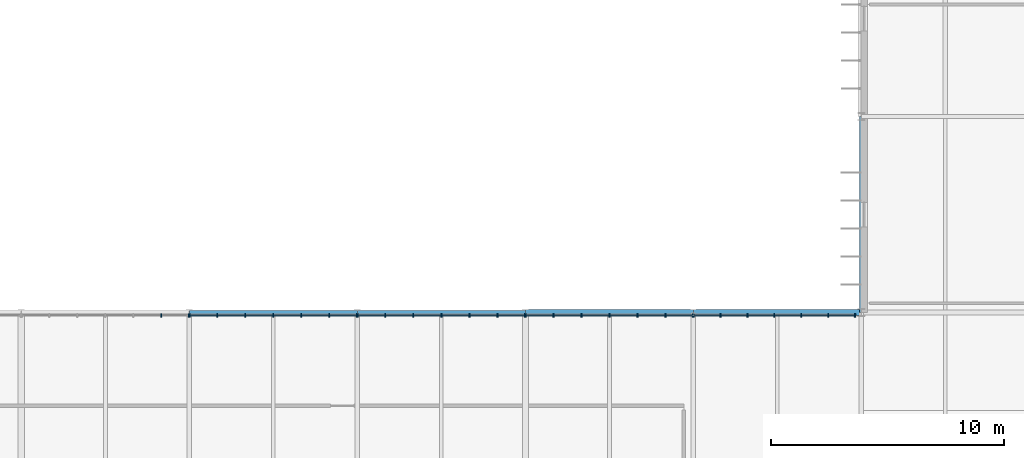
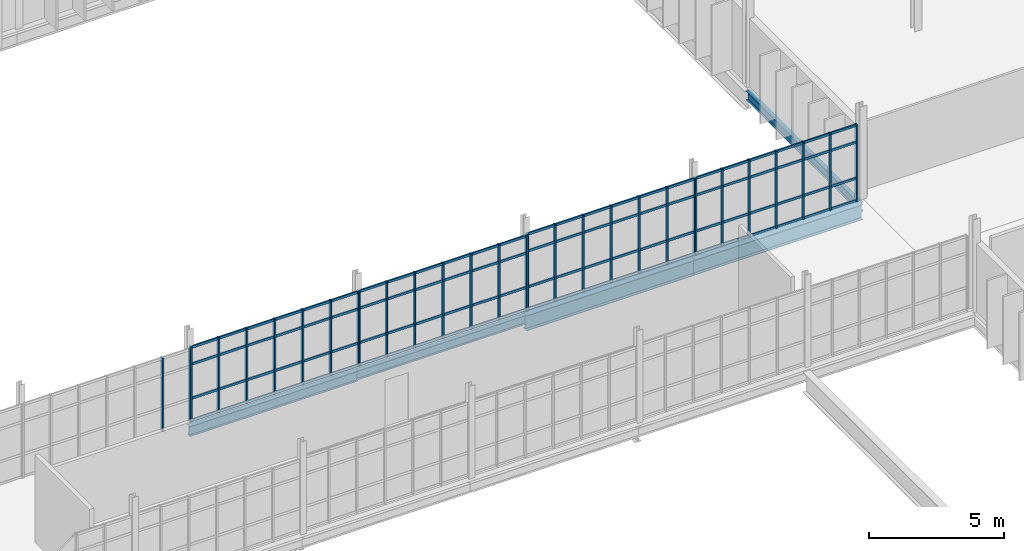
# One storey, part 45 of 99: 46 members, 5 beams, 5 elements without a shape of their own.
"""IFC4 building model written with IfcOpenShell, lengths in metres."""

from ifc_helpers import new_model, si_unit, direction, frame, origin, origin_2d, place, context, subcontext, project, spatial, rectangle, i_section, extrude, material, material_profile, profile_set, type_object, element, aggregate, save


model = new_model("IFC4")

# Units and contexts
model_context = context("Model", 3, precision=1e-05, world=origin(), true_north=direction((0.0, 1.0)))
body_context = subcontext(model_context, "Body", "Model", "MODEL_VIEW")
ifc_project = project(units=[si_unit("LENGTHUNIT", "METRE"), si_unit("AREAUNIT", "SQUARE_METRE"), si_unit("VOLUMEUNIT", "CUBIC_METRE"), si_unit("PLANEANGLEUNIT", "RADIAN"), si_unit("MASSUNIT", "GRAM", prefix="KILO")], contexts=[model_context])

# Site, building, storey
site_placement = place(None, origin())
site = spatial("IfcSite", under=ifc_project, at=site_placement, CompositionType="ELEMENT")
building_placement = place(site_placement, origin())
building = spatial("IfcBuilding", under=site, at=building_placement, Name="Qelthora Terrace Specialist Clinic", CompositionType="ELEMENT")
storey_placement = place(building_placement, frame((0.0, 0.0, 9.0)))
storey = spatial("IfcBuildingStorey", under=building, at=storey_placement, Name="L02", CompositionType="ELEMENT", Elevation=9.0)

# Beams
ifc_material_1 = material(Name="Steel S355", Category="steel")
ifc_material_profile_1 = material_profile(ifc_material_1, i_section(OverallWidth=0.178955078125, OverallDepth=0.409912109375, WebThickness=0.0087890625, FlangeThickness=0.014404296875, FilletRadius=0.011962890625, at=origin_2d()), Name="W410X67")
ifc_profile_set_1 = profile_set([ifc_material_profile_1], Name="Steel S355")
beam_type_1 = type_object("IfcBeamType", Name="BM-W410X67", PredefinedType="BEAM", material=ifc_profile_set_1)
beam_1_placement = place(storey_placement, frame((72.0, 67.199951171875, -0.455078125), z_axis=(1.0, 0.0, 0.0), x_axis=(0.0, 1.0, 0.0)))
element("IfcBeam", 1, at=beam_1_placement, inside=storey, type_object=beam_type_1, Name="Girder BMX-L02-0658", PredefinedType="BEAM", context=body_context, shape_type="SweptSolid", body=[
    extrude(i_section(OverallWidth=0.178955078125, OverallDepth=0.409912109375, WebThickness=0.0087890625, FlangeThickness=0.014404296875, FilletRadius=0.011962890625, at=origin_2d()), origin(), (0.0, 0.0, 1.0), 7.199951171875),
])
beam_2_placement = place(storey_placement, frame((93.60009765625, 67.199951171875, -0.455078125), z_axis=(0.0, 1.0, 0.0), x_axis=(-1.0, 0.0, 0.0)))
element("IfcBeam", 2, at=beam_2_placement, inside=storey, type_object=beam_type_1, Name="Girder BMY-L02-0840", PredefinedType="BEAM", context=body_context, shape_type="SweptSolid", body=[
    extrude(i_section(OverallWidth=0.178955078125, OverallDepth=0.409912109375, WebThickness=0.0087890625, FlangeThickness=0.014404296875, FilletRadius=0.011962890625, at=origin_2d()), origin(), (0.0, 0.0, 1.0), 8.400146484375),
])
ifc_material_profile_2 = material_profile(ifc_material_1, i_section(OverallWidth=0.19091796875, OverallDepth=0.4599609375, WebThickness=0.010009765625, FlangeThickness=0.01611328125, FilletRadius=0.012939453125, at=origin_2d()), Name="W460X82")
ifc_profile_set_2 = profile_set([ifc_material_profile_2], Name="Steel S355")
beam_type_2 = type_object("IfcBeamType", Name="BM-W460X82", PredefinedType="BEAM", material=ifc_profile_set_2)
beam_3_placement = place(storey_placement, frame((64.800048828125, 67.199951171875, -0.47998046875), z_axis=(1.0, 0.0, 0.0), x_axis=(0.0, 1.0, 0.0)))
element("IfcBeam", 3, at=beam_3_placement, inside=storey, type_object=beam_type_2, Name="Girder BMX-L02-0657", PredefinedType="BEAM", context=body_context, shape_type="SweptSolid", body=[
    extrude(i_section(OverallWidth=0.19091796875, OverallDepth=0.4599609375, WebThickness=0.010009765625, FlangeThickness=0.01611328125, FilletRadius=0.012939453125, at=origin_2d()), origin(), (0.0, 0.0, 1.0), 7.199951171875),
])
ifc_material_profile_3 = material_profile(ifc_material_1, i_section(OverallWidth=0.25390625, OverallDepth=0.68798828125, WebThickness=0.01318359375, FlangeThickness=0.02099609375, FilletRadius=0.01806640625, at=origin_2d()), Name="W690X152")
ifc_profile_set_3 = profile_set([ifc_material_profile_3], Name="Steel S355")
beam_type_3 = type_object("IfcBeamType", Name="BM-W690X152", PredefinedType="BEAM", material=ifc_profile_set_3)
beam_4_placement = place(storey_placement, frame((86.39990234375, 67.199951171875, -0.593994140625), z_axis=(1.0, 0.0, 0.0), x_axis=(0.0, 1.0, 0.0)))
element("IfcBeam", 4, at=beam_4_placement, inside=storey, type_object=beam_type_3, Name="Girder BMX-L02-0660", PredefinedType="BEAM", context=body_context, shape_type="SweptSolid", body=[
    extrude(i_section(OverallWidth=0.25390625, OverallDepth=0.68798828125, WebThickness=0.01318359375, FlangeThickness=0.02099609375, FilletRadius=0.01806640625, at=origin_2d()), origin(), (0.0, 0.0, 1.0), 7.2001953125),
])
ifc_material_profile_4 = material_profile(ifc_material_1, i_section(OverallWidth=0.256103515625, OverallDepth=0.693115234375, WebThickness=0.014404296875, FlangeThickness=0.023681640625, FilletRadius=0.01806640625, at=origin_2d()), Name="W690X170")
ifc_profile_set_4 = profile_set([ifc_material_profile_4], Name="Steel S355")
beam_type_4 = type_object("IfcBeamType", Name="BM-W690X170", PredefinedType="BEAM", material=ifc_profile_set_4)
beam_5_placement = place(storey_placement, frame((79.199951171875, 67.199951171875, -0.596435546875), z_axis=(1.0, 0.0, 0.0), x_axis=(0.0, 1.0, 0.0)))
element("IfcBeam", 5, at=beam_5_placement, inside=storey, type_object=beam_type_4, Name="Girder BMX-L02-0659", PredefinedType="BEAM", context=body_context, shape_type="SweptSolid", body=[
    extrude(i_section(OverallWidth=0.256103515625, OverallDepth=0.693115234375, WebThickness=0.014404296875, FlangeThickness=0.023681640625, FilletRadius=0.01806640625, at=origin_2d()), origin(), (0.0, 0.0, 1.0), 7.199951171875),
])

# Curtain wall, members
ifc_material_2 = material(Name="Aluminium anodized bronze", Category="aluminium")
curtain_wall_type = type_object("IfcCurtainWallType", Name="CW-BRG-L02", PredefinedType="NOTDEFINED", material=ifc_material_2)
curtain_wall_1_placement = place(storey_placement, origin())
curtain_wall_1 = element("IfcCurtainWall", 6, at=curtain_wall_1_placement, inside=storey, type_object=curtain_wall_type, Name="Curtain wall CW-L02-257", PredefinedType="NOTDEFINED")
ifc_material_profile_5 = material_profile(ifc_material_2, rectangle(XDim=0.06005859375, YDim=0.14990234375, at=origin_2d()), Name="CWM60X150")
ifc_profile_set_5 = profile_set([ifc_material_profile_5], Name="Aluminium anodized bronze")
member_type_1 = type_object("IfcMemberType", Name="CWM-60X150", PredefinedType="MULLION", material=ifc_profile_set_5)
member_1_placement = place(storey_placement, frame((63.60009765625, 67.080078125, 0.0), z_axis=(0.0, 0.0, 1.0), x_axis=(1.0, 0.0, 0.0)))
member_1 = element("IfcMember", 7, at=member_1_placement, type_object=member_type_1, Name="CW-L02-257 mullion 6", PredefinedType="MULLION", context=body_context, shape_type="SweptSolid", body=[
    extrude(rectangle(XDim=0.06005859375, YDim=0.14990234375, at=origin_2d()), origin(), (0.0, 0.0, 1.0), 3.330078125),
])
member_2_placement = place(storey_placement, frame((64.780029296875, 67.080078125, 0.0), z_axis=(0.0, 0.0, 1.0), x_axis=(1.0, 0.0, 0.0)))
member_2 = element("IfcMember", 8, at=member_2_placement, type_object=member_type_1, Name="CW-L02-257 mullion 7", PredefinedType="MULLION", context=body_context, shape_type="SweptSolid", body=[
    extrude(rectangle(XDim=0.06005859375, YDim=0.14990234375, at=origin_2d()), origin(), (0.0, 0.0, 1.0), 3.330078125),
])
aggregate(curtain_wall_1, [member_1, member_2])

curtain_wall_2_placement = place(storey_placement, origin())
curtain_wall_2 = element("IfcCurtainWall", 9, at=curtain_wall_2_placement, inside=storey, type_object=curtain_wall_type, Name="Curtain wall CW-L02-258", PredefinedType="NOTDEFINED")
member_3_placement = place(storey_placement, frame((64.820068359375, 67.080078125, 0.0), z_axis=(0.0, 0.0, 1.0), x_axis=(1.0, 0.0, 0.0)))
member_3 = element("IfcMember", 10, at=member_3_placement, type_object=member_type_1, Name="CW-L02-258 mullion 1", PredefinedType="MULLION", context=body_context, shape_type="SweptSolid", body=[
    extrude(rectangle(XDim=0.06005859375, YDim=0.14990234375, at=origin_2d()), origin(), (0.0, 0.0, 1.0), 3.39794921875),
])
member_4_placement = place(storey_placement, frame((66.0, 67.080078125, 0.0), z_axis=(0.0, 0.0, 1.0), x_axis=(1.0, 0.0, 0.0)))
member_4 = element("IfcMember", 11, at=member_4_placement, type_object=member_type_1, Name="CW-L02-258 mullion 2", PredefinedType="MULLION", context=body_context, shape_type="SweptSolid", body=[
    extrude(rectangle(XDim=0.06005859375, YDim=0.14990234375, at=origin_2d()), origin(), (0.0, 0.0, 1.0), 3.39794921875),
])
member_5_placement = place(storey_placement, frame((67.199951171875, 67.080078125, 0.0), z_axis=(0.0, 0.0, 1.0), x_axis=(1.0, 0.0, 0.0)))
member_5 = element("IfcMember", 12, at=member_5_placement, type_object=member_type_1, Name="CW-L02-258 mullion 3", PredefinedType="MULLION", context=body_context, shape_type="SweptSolid", body=[
    extrude(rectangle(XDim=0.06005859375, YDim=0.14990234375, at=origin_2d()), origin(), (0.0, 0.0, 1.0), 3.39794921875),
])
member_6_placement = place(storey_placement, frame((68.39990234375, 67.080078125, 0.0), z_axis=(0.0, 0.0, 1.0), x_axis=(1.0, 0.0, 0.0)))
member_6 = element("IfcMember", 13, at=member_6_placement, type_object=member_type_1, Name="CW-L02-258 mullion 4", PredefinedType="MULLION", context=body_context, shape_type="SweptSolid", body=[
    extrude(rectangle(XDim=0.06005859375, YDim=0.14990234375, at=origin_2d()), origin(), (0.0, 0.0, 1.0), 3.39794921875),
])
member_7_placement = place(storey_placement, frame((69.60009765625, 67.080078125, 0.0), z_axis=(0.0, 0.0, 1.0), x_axis=(1.0, 0.0, 0.0)))
member_7 = element("IfcMember", 14, at=member_7_placement, type_object=member_type_1, Name="CW-L02-258 mullion 5", PredefinedType="MULLION", context=body_context, shape_type="SweptSolid", body=[
    extrude(rectangle(XDim=0.06005859375, YDim=0.14990234375, at=origin_2d()), origin(), (0.0, 0.0, 1.0), 3.39794921875),
])
member_8_placement = place(storey_placement, frame((70.800048828125, 67.080078125, 0.0), z_axis=(0.0, 0.0, 1.0), x_axis=(1.0, 0.0, 0.0)))
member_8 = element("IfcMember", 15, at=member_8_placement, type_object=member_type_1, Name="CW-L02-258 mullion 6", PredefinedType="MULLION", context=body_context, shape_type="SweptSolid", body=[
    extrude(rectangle(XDim=0.06005859375, YDim=0.14990234375, at=origin_2d()), origin(), (0.0, 0.0, 1.0), 3.39794921875),
])
member_9_placement = place(storey_placement, frame((71.97998046875, 67.080078125, 0.0), z_axis=(0.0, 0.0, 1.0), x_axis=(1.0, 0.0, 0.0)))
member_9 = element("IfcMember", 16, at=member_9_placement, type_object=member_type_1, Name="CW-L02-258 mullion 7", PredefinedType="MULLION", context=body_context, shape_type="SweptSolid", body=[
    extrude(rectangle(XDim=0.06005859375, YDim=0.14990234375, at=origin_2d()), origin(), (0.0, 0.0, 1.0), 3.39794921875),
])

curtain_wall_3_placement = place(storey_placement, origin())
curtain_wall_3 = element("IfcCurtainWall", 17, at=curtain_wall_3_placement, inside=storey, type_object=curtain_wall_type, Name="Curtain wall CW-L02-259", PredefinedType="NOTDEFINED")
member_10_placement = place(storey_placement, frame((72.02001953125, 67.080078125, 0.0), z_axis=(0.0, 0.0, 1.0), x_axis=(1.0, 0.0, 0.0)))
member_10 = element("IfcMember", 18, at=member_10_placement, type_object=member_type_1, Name="CW-L02-259 mullion 1", PredefinedType="MULLION", context=body_context, shape_type="SweptSolid", body=[
    extrude(rectangle(XDim=0.06005859375, YDim=0.14990234375, at=origin_2d()), origin(), (0.0, 0.0, 1.0), 3.405029296875),
])
member_11_placement = place(storey_placement, frame((73.199951171875, 67.080078125, 0.0), z_axis=(0.0, 0.0, 1.0), x_axis=(1.0, 0.0, 0.0)))
member_11 = element("IfcMember", 19, at=member_11_placement, type_object=member_type_1, Name="CW-L02-259 mullion 2", PredefinedType="MULLION", context=body_context, shape_type="SweptSolid", body=[
    extrude(rectangle(XDim=0.06005859375, YDim=0.14990234375, at=origin_2d()), origin(), (0.0, 0.0, 1.0), 3.405029296875),
])
member_12_placement = place(storey_placement, frame((74.39990234375, 67.080078125, 0.0), z_axis=(0.0, 0.0, 1.0), x_axis=(1.0, 0.0, 0.0)))
member_12 = element("IfcMember", 20, at=member_12_placement, type_object=member_type_1, Name="CW-L02-259 mullion 3", PredefinedType="MULLION", context=body_context, shape_type="SweptSolid", body=[
    extrude(rectangle(XDim=0.06005859375, YDim=0.14990234375, at=origin_2d()), origin(), (0.0, 0.0, 1.0), 3.405029296875),
])
member_13_placement = place(storey_placement, frame((75.60009765625, 67.080078125, 0.0), z_axis=(0.0, 0.0, 1.0), x_axis=(1.0, 0.0, 0.0)))
member_13 = element("IfcMember", 21, at=member_13_placement, type_object=member_type_1, Name="CW-L02-259 mullion 4", PredefinedType="MULLION", context=body_context, shape_type="SweptSolid", body=[
    extrude(rectangle(XDim=0.06005859375, YDim=0.14990234375, at=origin_2d()), origin(), (0.0, 0.0, 1.0), 3.405029296875),
])
member_14_placement = place(storey_placement, frame((76.800048828125, 67.080078125, 0.0), z_axis=(0.0, 0.0, 1.0), x_axis=(1.0, 0.0, 0.0)))
member_14 = element("IfcMember", 22, at=member_14_placement, type_object=member_type_1, Name="CW-L02-259 mullion 5", PredefinedType="MULLION", context=body_context, shape_type="SweptSolid", body=[
    extrude(rectangle(XDim=0.06005859375, YDim=0.14990234375, at=origin_2d()), origin(), (0.0, 0.0, 1.0), 3.405029296875),
])
member_15_placement = place(storey_placement, frame((78.0, 67.080078125, 0.0), z_axis=(0.0, 0.0, 1.0), x_axis=(1.0, 0.0, 0.0)))
member_15 = element("IfcMember", 23, at=member_15_placement, type_object=member_type_1, Name="CW-L02-259 mullion 6", PredefinedType="MULLION", context=body_context, shape_type="SweptSolid", body=[
    extrude(rectangle(XDim=0.06005859375, YDim=0.14990234375, at=origin_2d()), origin(), (0.0, 0.0, 1.0), 3.405029296875),
])
member_16_placement = place(storey_placement, frame((79.179931640625, 67.080078125, 0.0), z_axis=(0.0, 0.0, 1.0), x_axis=(1.0, 0.0, 0.0)))
member_16 = element("IfcMember", 24, at=member_16_placement, type_object=member_type_1, Name="CW-L02-259 mullion 7", PredefinedType="MULLION", context=body_context, shape_type="SweptSolid", body=[
    extrude(rectangle(XDim=0.06005859375, YDim=0.14990234375, at=origin_2d()), origin(), (0.0, 0.0, 1.0), 3.405029296875),
])

curtain_wall_4_placement = place(storey_placement, origin())
curtain_wall_4 = element("IfcCurtainWall", 25, at=curtain_wall_4_placement, inside=storey, type_object=curtain_wall_type, Name="Curtain wall CW-L02-260", PredefinedType="NOTDEFINED")
member_17_placement = place(storey_placement, frame((79.219970703125, 67.080078125, 0.0), z_axis=(0.0, 0.0, 1.0), x_axis=(1.0, 0.0, 0.0)))
member_17 = element("IfcMember", 26, at=member_17_placement, type_object=member_type_1, Name="CW-L02-260 mullion 1", PredefinedType="MULLION", context=body_context, shape_type="SweptSolid", body=[
    extrude(rectangle(XDim=0.06005859375, YDim=0.14990234375, at=origin_2d()), origin(), (0.0, 0.0, 1.0), 3.47607421875),
])
member_18_placement = place(storey_placement, frame((80.39990234375, 67.080078125, 0.0), z_axis=(0.0, 0.0, 1.0), x_axis=(1.0, 0.0, 0.0)))
member_18 = element("IfcMember", 27, at=member_18_placement, type_object=member_type_1, Name="CW-L02-260 mullion 2", PredefinedType="MULLION", context=body_context, shape_type="SweptSolid", body=[
    extrude(rectangle(XDim=0.06005859375, YDim=0.14990234375, at=origin_2d()), origin(), (0.0, 0.0, 1.0), 3.47607421875),
])
member_19_placement = place(storey_placement, frame((81.60009765625, 67.080078125, 0.0), z_axis=(0.0, 0.0, 1.0), x_axis=(1.0, 0.0, 0.0)))
member_19 = element("IfcMember", 28, at=member_19_placement, type_object=member_type_1, Name="CW-L02-260 mullion 3", PredefinedType="MULLION", context=body_context, shape_type="SweptSolid", body=[
    extrude(rectangle(XDim=0.06005859375, YDim=0.14990234375, at=origin_2d()), origin(), (0.0, 0.0, 1.0), 3.47607421875),
])
member_20_placement = place(storey_placement, frame((82.800048828125, 67.080078125, 0.0), z_axis=(0.0, 0.0, 1.0), x_axis=(1.0, 0.0, 0.0)))
member_20 = element("IfcMember", 29, at=member_20_placement, type_object=member_type_1, Name="CW-L02-260 mullion 4", PredefinedType="MULLION", context=body_context, shape_type="SweptSolid", body=[
    extrude(rectangle(XDim=0.06005859375, YDim=0.14990234375, at=origin_2d()), origin(), (0.0, 0.0, 1.0), 3.47607421875),
])
member_21_placement = place(storey_placement, frame((84.0, 67.080078125, 0.0), z_axis=(0.0, 0.0, 1.0), x_axis=(1.0, 0.0, 0.0)))
member_21 = element("IfcMember", 30, at=member_21_placement, type_object=member_type_1, Name="CW-L02-260 mullion 5", PredefinedType="MULLION", context=body_context, shape_type="SweptSolid", body=[
    extrude(rectangle(XDim=0.06005859375, YDim=0.14990234375, at=origin_2d()), origin(), (0.0, 0.0, 1.0), 3.47607421875),
])
member_22_placement = place(storey_placement, frame((85.199951171875, 67.080078125, 0.0), z_axis=(0.0, 0.0, 1.0), x_axis=(1.0, 0.0, 0.0)))
member_22 = element("IfcMember", 31, at=member_22_placement, type_object=member_type_1, Name="CW-L02-260 mullion 6", PredefinedType="MULLION", context=body_context, shape_type="SweptSolid", body=[
    extrude(rectangle(XDim=0.06005859375, YDim=0.14990234375, at=origin_2d()), origin(), (0.0, 0.0, 1.0), 3.47607421875),
])
member_23_placement = place(storey_placement, frame((86.3798828125, 67.080078125, 0.0), z_axis=(0.0, 0.0, 1.0), x_axis=(1.0, 0.0, 0.0)))
member_23 = element("IfcMember", 32, at=member_23_placement, type_object=member_type_1, Name="CW-L02-260 mullion 7", PredefinedType="MULLION", context=body_context, shape_type="SweptSolid", body=[
    extrude(rectangle(XDim=0.06005859375, YDim=0.14990234375, at=origin_2d()), origin(), (0.0, 0.0, 1.0), 3.47607421875),
])

curtain_wall_5_placement = place(storey_placement, origin())
curtain_wall_5 = element("IfcCurtainWall", 33, at=curtain_wall_5_placement, inside=storey, type_object=curtain_wall_type, Name="Curtain wall CW-L02-261", PredefinedType="NOTDEFINED")
member_24_placement = place(storey_placement, frame((86.419921875, 67.080078125, 0.0), z_axis=(0.0, 0.0, 1.0), x_axis=(1.0, 0.0, 0.0)))
member_24 = element("IfcMember", 34, at=member_24_placement, type_object=member_type_1, Name="CW-L02-261 mullion 1", PredefinedType="MULLION", context=body_context, shape_type="SweptSolid", body=[
    extrude(rectangle(XDim=0.06005859375, YDim=0.14990234375, at=origin_2d()), origin(), (0.0, 0.0, 1.0), 3.48193359375),
])
member_25_placement = place(storey_placement, frame((87.556640625, 67.080078125, 0.0), z_axis=(0.0, 0.0, 1.0), x_axis=(1.0, 0.0, 0.0)))
member_25 = element("IfcMember", 35, at=member_25_placement, type_object=member_type_1, Name="CW-L02-261 mullion 2", PredefinedType="MULLION", context=body_context, shape_type="SweptSolid", body=[
    extrude(rectangle(XDim=0.06005859375, YDim=0.14990234375, at=origin_2d()), origin(), (0.0, 0.0, 1.0), 3.48193359375),
])
member_26_placement = place(storey_placement, frame((88.71337890625, 67.080078125, 0.0), z_axis=(0.0, 0.0, 1.0), x_axis=(1.0, 0.0, 0.0)))
member_26 = element("IfcMember", 36, at=member_26_placement, type_object=member_type_1, Name="CW-L02-261 mullion 3", PredefinedType="MULLION", context=body_context, shape_type="SweptSolid", body=[
    extrude(rectangle(XDim=0.06005859375, YDim=0.14990234375, at=origin_2d()), origin(), (0.0, 0.0, 1.0), 3.48193359375),
])
member_27_placement = place(storey_placement, frame((89.8701171875, 67.080078125, 0.0), z_axis=(0.0, 0.0, 1.0), x_axis=(1.0, 0.0, 0.0)))
member_27 = element("IfcMember", 37, at=member_27_placement, type_object=member_type_1, Name="CW-L02-261 mullion 4", PredefinedType="MULLION", context=body_context, shape_type="SweptSolid", body=[
    extrude(rectangle(XDim=0.06005859375, YDim=0.14990234375, at=origin_2d()), origin(), (0.0, 0.0, 1.0), 3.48193359375),
])
member_28_placement = place(storey_placement, frame((91.026611328125, 67.080078125, 0.0), z_axis=(0.0, 0.0, 1.0), x_axis=(1.0, 0.0, 0.0)))
member_28 = element("IfcMember", 38, at=member_28_placement, type_object=member_type_1, Name="CW-L02-261 mullion 5", PredefinedType="MULLION", context=body_context, shape_type="SweptSolid", body=[
    extrude(rectangle(XDim=0.06005859375, YDim=0.14990234375, at=origin_2d()), origin(), (0.0, 0.0, 1.0), 3.48193359375),
])
member_29_placement = place(storey_placement, frame((92.183349609375, 67.080078125, 0.0), z_axis=(0.0, 0.0, 1.0), x_axis=(1.0, 0.0, 0.0)))
member_29 = element("IfcMember", 39, at=member_29_placement, type_object=member_type_1, Name="CW-L02-261 mullion 6", PredefinedType="MULLION", context=body_context, shape_type="SweptSolid", body=[
    extrude(rectangle(XDim=0.06005859375, YDim=0.14990234375, at=origin_2d()), origin(), (0.0, 0.0, 1.0), 3.48193359375),
])
member_30_placement = place(storey_placement, frame((93.320068359375, 67.080078125, 0.0), z_axis=(0.0, 0.0, 1.0), x_axis=(1.0, 0.0, 0.0)))
member_30 = element("IfcMember", 40, at=member_30_placement, type_object=member_type_1, Name="CW-L02-261 mullion 7", PredefinedType="MULLION", context=body_context, shape_type="SweptSolid", body=[
    extrude(rectangle(XDim=0.06005859375, YDim=0.14990234375, at=origin_2d()), origin(), (0.0, 0.0, 1.0), 3.48193359375),
])

# Member
ifc_material_profile_6 = material_profile(ifc_material_2, rectangle(XDim=0.06005859375, YDim=0.110107421875, at=origin_2d()), Name="CWT60X110")
ifc_profile_set_6 = profile_set([ifc_material_profile_6], Name="Aluminium anodized bronze")
member_type_2 = type_object("IfcMemberType", Name="CWT-60X110", PredefinedType="USERDEFINED", material=ifc_profile_set_6)
member_31_placement = place(storey_placement, frame((64.840087890625, 67.080078125, 0.0400390625), z_axis=(1.0, 0.0, 0.0), x_axis=(0.0, 1.0, 0.0)))
member_31 = element("IfcMember", 41, at=member_31_placement, type_object=member_type_2, Name="CW-L02-258 transom 1", ObjectType="TRANSOM", PredefinedType="USERDEFINED", context=body_context, shape_type="SweptSolid", body=[
    extrude(rectangle(XDim=0.06005859375, YDim=0.110107421875, at=origin_2d()), origin(), (0.0, 0.0, 1.0), 7.119873046875),
])

member_32_placement = place(storey_placement, frame((64.840087890625, 67.080078125, 1.050048828125), z_axis=(1.0, 0.0, 0.0), x_axis=(0.0, 1.0, 0.0)))
member_32 = element("IfcMember", 42, at=member_32_placement, type_object=member_type_2, Name="CW-L02-258 transom 2", ObjectType="TRANSOM", PredefinedType="USERDEFINED", context=body_context, shape_type="SweptSolid", body=[
    extrude(rectangle(XDim=0.06005859375, YDim=0.110107421875, at=origin_2d()), origin(), (0.0, 0.0, 1.0), 7.119873046875),
])

member_33_placement = place(storey_placement, frame((64.840087890625, 67.080078125, 2.597900390625), z_axis=(1.0, 0.0, 0.0), x_axis=(0.0, 1.0, 0.0)))
member_33 = element("IfcMember", 43, at=member_33_placement, type_object=member_type_2, Name="CW-L02-258 transom 3", ObjectType="TRANSOM", PredefinedType="USERDEFINED", context=body_context, shape_type="SweptSolid", body=[
    extrude(rectangle(XDim=0.06005859375, YDim=0.110107421875, at=origin_2d()), origin(), (0.0, 0.0, 1.0), 7.119873046875),
])

member_34_placement = place(storey_placement, frame((64.840087890625, 67.080078125, 3.35791015625), z_axis=(1.0, 0.0, 0.0), x_axis=(0.0, 1.0, 0.0)))
member_34 = element("IfcMember", 44, at=member_34_placement, type_object=member_type_2, Name="CW-L02-258 transom 4", ObjectType="TRANSOM", PredefinedType="USERDEFINED", context=body_context, shape_type="SweptSolid", body=[
    extrude(rectangle(XDim=0.06005859375, YDim=0.110107421875, at=origin_2d()), origin(), (0.0, 0.0, 1.0), 7.119873046875),
])

aggregate(curtain_wall_2, [member_3, member_4, member_5, member_6, member_7, member_8, member_9, member_31, member_32, member_33, member_34])

member_35_placement = place(storey_placement, frame((72.0400390625, 67.080078125, 0.0400390625), z_axis=(1.0, 0.0, 0.0), x_axis=(0.0, 1.0, 0.0)))
member_35 = element("IfcMember", 45, at=member_35_placement, type_object=member_type_2, Name="CW-L02-259 transom 1", ObjectType="TRANSOM", PredefinedType="USERDEFINED", context=body_context, shape_type="SweptSolid", body=[
    extrude(rectangle(XDim=0.06005859375, YDim=0.110107421875, at=origin_2d()), origin(), (0.0, 0.0, 1.0), 7.119873046875),
])

member_36_placement = place(storey_placement, frame((72.0400390625, 67.080078125, 1.050048828125), z_axis=(1.0, 0.0, 0.0), x_axis=(0.0, 1.0, 0.0)))
member_36 = element("IfcMember", 46, at=member_36_placement, type_object=member_type_2, Name="CW-L02-259 transom 2", ObjectType="TRANSOM", PredefinedType="USERDEFINED", context=body_context, shape_type="SweptSolid", body=[
    extrude(rectangle(XDim=0.06005859375, YDim=0.110107421875, at=origin_2d()), origin(), (0.0, 0.0, 1.0), 7.119873046875),
])

member_37_placement = place(storey_placement, frame((72.0400390625, 67.080078125, 2.60498046875), z_axis=(1.0, 0.0, 0.0), x_axis=(0.0, 1.0, 0.0)))
member_37 = element("IfcMember", 47, at=member_37_placement, type_object=member_type_2, Name="CW-L02-259 transom 3", ObjectType="TRANSOM", PredefinedType="USERDEFINED", context=body_context, shape_type="SweptSolid", body=[
    extrude(rectangle(XDim=0.06005859375, YDim=0.110107421875, at=origin_2d()), origin(), (0.0, 0.0, 1.0), 7.119873046875),
])

member_38_placement = place(storey_placement, frame((72.0400390625, 67.080078125, 3.364990234375), z_axis=(1.0, 0.0, 0.0), x_axis=(0.0, 1.0, 0.0)))
member_38 = element("IfcMember", 48, at=member_38_placement, type_object=member_type_2, Name="CW-L02-259 transom 4", ObjectType="TRANSOM", PredefinedType="USERDEFINED", context=body_context, shape_type="SweptSolid", body=[
    extrude(rectangle(XDim=0.06005859375, YDim=0.110107421875, at=origin_2d()), origin(), (0.0, 0.0, 1.0), 7.119873046875),
])

aggregate(curtain_wall_3, [member_10, member_11, member_12, member_13, member_14, member_15, member_16, member_35, member_36, member_37, member_38])

member_39_placement = place(storey_placement, frame((79.239990234375, 67.080078125, 0.0400390625), z_axis=(1.0, 0.0, 0.0), x_axis=(0.0, 1.0, 0.0)))
member_39 = element("IfcMember", 49, at=member_39_placement, type_object=member_type_2, Name="CW-L02-260 transom 1", ObjectType="TRANSOM", PredefinedType="USERDEFINED", context=body_context, shape_type="SweptSolid", body=[
    extrude(rectangle(XDim=0.06005859375, YDim=0.110107421875, at=origin_2d()), origin(), (0.0, 0.0, 1.0), 7.1201171875),
])

member_40_placement = place(storey_placement, frame((79.239990234375, 67.080078125, 1.050048828125), z_axis=(1.0, 0.0, 0.0), x_axis=(0.0, 1.0, 0.0)))
member_40 = element("IfcMember", 50, at=member_40_placement, type_object=member_type_2, Name="CW-L02-260 transom 2", ObjectType="TRANSOM", PredefinedType="USERDEFINED", context=body_context, shape_type="SweptSolid", body=[
    extrude(rectangle(XDim=0.06005859375, YDim=0.110107421875, at=origin_2d()), origin(), (0.0, 0.0, 1.0), 7.1201171875),
])

member_41_placement = place(storey_placement, frame((79.239990234375, 67.080078125, 2.676025390625), z_axis=(1.0, 0.0, 0.0), x_axis=(0.0, 1.0, 0.0)))
member_41 = element("IfcMember", 51, at=member_41_placement, type_object=member_type_2, Name="CW-L02-260 transom 3", ObjectType="TRANSOM", PredefinedType="USERDEFINED", context=body_context, shape_type="SweptSolid", body=[
    extrude(rectangle(XDim=0.06005859375, YDim=0.110107421875, at=origin_2d()), origin(), (0.0, 0.0, 1.0), 7.1201171875),
])

member_42_placement = place(storey_placement, frame((79.239990234375, 67.080078125, 3.43603515625), z_axis=(1.0, 0.0, 0.0), x_axis=(0.0, 1.0, 0.0)))
member_42 = element("IfcMember", 52, at=member_42_placement, type_object=member_type_2, Name="CW-L02-260 transom 4", ObjectType="TRANSOM", PredefinedType="USERDEFINED", context=body_context, shape_type="SweptSolid", body=[
    extrude(rectangle(XDim=0.06005859375, YDim=0.110107421875, at=origin_2d()), origin(), (0.0, 0.0, 1.0), 7.1201171875),
])

aggregate(curtain_wall_4, [member_17, member_18, member_19, member_20, member_21, member_22, member_23, member_39, member_40, member_41, member_42])

member_43_placement = place(storey_placement, frame((86.43994140625, 67.080078125, 0.0400390625), z_axis=(1.0, 0.0, 0.0), x_axis=(0.0, 1.0, 0.0)))
member_43 = element("IfcMember", 53, at=member_43_placement, type_object=member_type_2, Name="CW-L02-261 transom 1", ObjectType="TRANSOM", PredefinedType="USERDEFINED", context=body_context, shape_type="SweptSolid", body=[
    extrude(rectangle(XDim=0.06005859375, YDim=0.110107421875, at=origin_2d()), origin(), (0.0, 0.0, 1.0), 6.860107421875),
])

member_44_placement = place(storey_placement, frame((86.43994140625, 67.080078125, 1.050048828125), z_axis=(1.0, 0.0, 0.0), x_axis=(0.0, 1.0, 0.0)))
member_44 = element("IfcMember", 54, at=member_44_placement, type_object=member_type_2, Name="CW-L02-261 transom 2", ObjectType="TRANSOM", PredefinedType="USERDEFINED", context=body_context, shape_type="SweptSolid", body=[
    extrude(rectangle(XDim=0.06005859375, YDim=0.110107421875, at=origin_2d()), origin(), (0.0, 0.0, 1.0), 6.860107421875),
])

member_45_placement = place(storey_placement, frame((86.43994140625, 67.080078125, 2.681884765625), z_axis=(1.0, 0.0, 0.0), x_axis=(0.0, 1.0, 0.0)))
member_45 = element("IfcMember", 55, at=member_45_placement, type_object=member_type_2, Name="CW-L02-261 transom 3", ObjectType="TRANSOM", PredefinedType="USERDEFINED", context=body_context, shape_type="SweptSolid", body=[
    extrude(rectangle(XDim=0.06005859375, YDim=0.110107421875, at=origin_2d()), origin(), (0.0, 0.0, 1.0), 6.860107421875),
])

member_46_placement = place(storey_placement, frame((86.43994140625, 67.080078125, 3.44189453125), z_axis=(1.0, 0.0, 0.0), x_axis=(0.0, 1.0, 0.0)))
member_46 = element("IfcMember", 56, at=member_46_placement, type_object=member_type_2, Name="CW-L02-261 transom 4", ObjectType="TRANSOM", PredefinedType="USERDEFINED", context=body_context, shape_type="SweptSolid", body=[
    extrude(rectangle(XDim=0.06005859375, YDim=0.110107421875, at=origin_2d()), origin(), (0.0, 0.0, 1.0), 6.860107421875),
])

aggregate(curtain_wall_5, [member_24, member_25, member_26, member_27, member_28, member_29, member_30, member_43, member_44, member_45, member_46])

save(model, "model.ifc")
